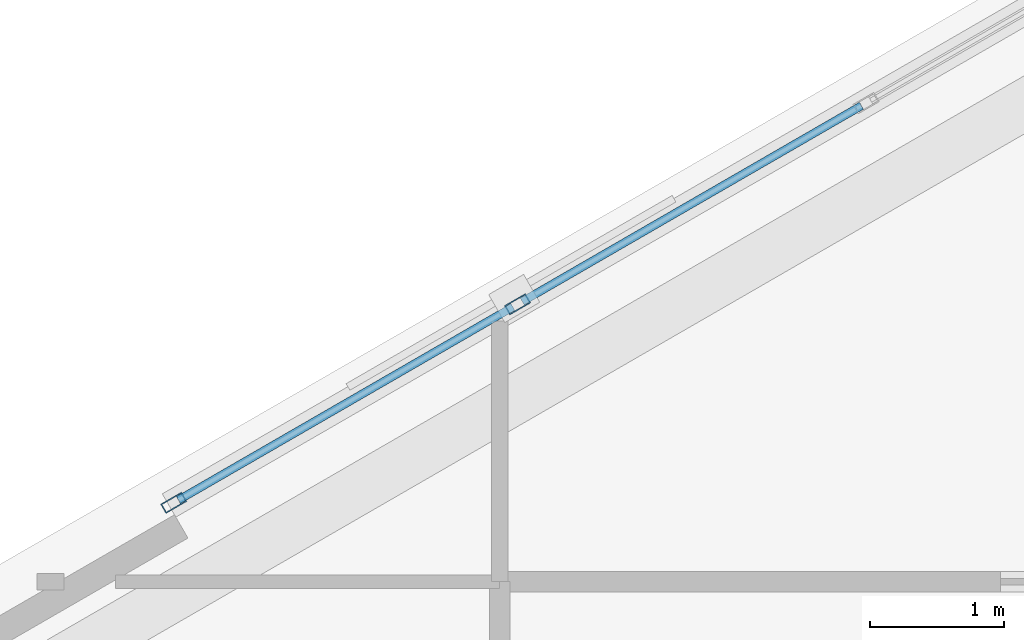
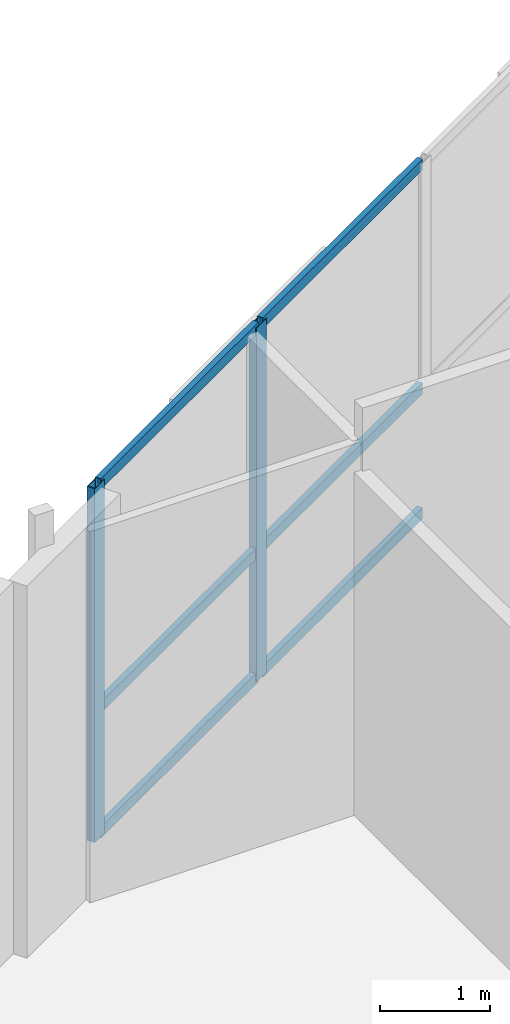
# One storey, part 11 of 27: 8 members, 1 element without a shape of its own.
"""IFC4 building model written with IfcOpenShell, lengths in metres."""

from ifc_helpers import new_model, si_unit, direction, frame, origin, origin_2d, place, context, subcontext, project, spatial, hollow_rectangle, extrude, material, layer, layer_set, material_profile, profile_set, type_object, element, aggregate, save


model = new_model("IFC4")

# Units and contexts
model_context = context("Model", 3, precision=1e-05, world=origin(), true_north=direction((0.0, 1.0)))
body_context = subcontext(model_context, "Body", "Model", "MODEL_VIEW")
ifc_project = project(units=[si_unit("LENGTHUNIT", "METRE"), si_unit("AREAUNIT", "SQUARE_METRE"), si_unit("VOLUMEUNIT", "CUBIC_METRE"), si_unit("PLANEANGLEUNIT", "RADIAN"), si_unit("MASSUNIT", "GRAM", prefix="KILO")], contexts=[model_context])

# Site, building, storey
site_placement = place(None, origin())
site = spatial("IfcSite", under=ifc_project, at=site_placement, CompositionType="ELEMENT")
building_placement = place(site_placement, origin())
building = spatial("IfcBuilding", under=site, at=building_placement, Name="Mersakhor Tower and Convention Hall", CompositionType="ELEMENT")
storey_placement = place(building_placement, frame((0.0, 0.0, 14.39990234375)))
storey = spatial("IfcBuildingStorey", under=building, at=storey_placement, Name="L03", CompositionType="ELEMENT", Elevation=14.39990234375)

# Curtain wall, members
ifc_material_1 = material(Name="Dark solar low-E aluminium curtain wall", Category="aluminium")
ifc_layer = layer(ifc_material_1, 0.18994140625)
ifc_layer_set = layer_set([ifc_layer], Name="Dark solar low-E aluminium curtain wall")
curtain_wall_type = type_object("IfcCurtainWallType", Name="CW-SYS-04", PredefinedType="USERDEFINED", material=ifc_layer_set)
curtain_wall_placement = place(storey_placement, origin())
curtain_wall = element("IfcCurtainWall", 1, at=curtain_wall_placement, inside=storey, type_object=curtain_wall_type, Name="L03 Dark-Glass Curtain Wall F1-B2", ObjectType="CURTAIN WALL", PredefinedType="USERDEFINED")
ifc_material_2 = material(Name="Anodised aluminium EN AW-6063 T6", Category="aluminium")
ifc_material_profile_1 = material_profile(ifc_material_2, hollow_rectangle(XDim=0.080078125, YDim=0.179931640625, WallThickness=0.008056640625, at=origin_2d()), Name="RHS 180x80x8")
ifc_profile_set_1 = profile_set([ifc_material_profile_1], Name="Anodised aluminium EN AW-6063 T6")
member_type_1 = type_object("IfcMemberType", Name="CWM-180x80", PredefinedType="MULLION", material=ifc_profile_set_1)
member_1_placement = place(storey_placement, frame((16.425048828125, 36.63720703125, 0.2001953125), z_axis=(0.0, 0.0, 1.0), x_axis=(-0.50000344889, 0.866023412558, 0.0)))
member_1 = element("IfcMember", 2, at=member_1_placement, type_object=member_type_1, Name="CW-04 mullion 1", PredefinedType="MULLION", context=body_context, shape_type="SweptSolid", body=[
    extrude(hollow_rectangle(XDim=0.080078125, YDim=0.179931640625, WallThickness=0.008056640625, at=origin_2d()), origin(), (0.0, 0.0, 1.0), 3.93994140625),
])
member_2_placement = place(storey_placement, frame((18.982666015625, 38.11376953125, 0.2001953125), z_axis=(0.0, 0.0, 1.0), x_axis=(-0.50000344889, 0.866023412558, 0.0)))
member_2 = element("IfcMember", 3, at=member_2_placement, type_object=member_type_1, Name="CW-04 mullion 2", PredefinedType="MULLION", context=body_context, shape_type="SweptSolid", body=[
    extrude(hollow_rectangle(XDim=0.080078125, YDim=0.179931640625, WallThickness=0.008056640625, at=origin_2d()), origin(), (0.0, 0.0, 1.0), 3.93994140625),
])
ifc_material_3 = material(Name="Anodised aluminium EN AW-6063 T6", Category="aluminium")
ifc_material_profile_2 = material_profile(ifc_material_3, hollow_rectangle(XDim=0.06005859375, YDim=0.1201171875, WallThickness=0.0048828125, at=origin_2d()), Name="RHS 120x60x5")
ifc_profile_set_2 = profile_set([ifc_material_profile_2], Name="Anodised aluminium EN AW-6063 T6")
member_type_2 = type_object("IfcMemberType", Name="CWT-120x60", PredefinedType="USERDEFINED", material=ifc_profile_set_2)
member_3_placement = place(storey_placement, frame((16.459716796875, 36.6572265625, 0.22998046875), z_axis=(0.866038426532, 0.499977443261, 0.0), x_axis=(-0.499977443261, 0.866038426532, 0.0)))
member_3 = element("IfcMember", 4, at=member_3_placement, type_object=member_type_2, Name="CW-04 transom 1.1", ObjectType="TRANSOM", PredefinedType="USERDEFINED", context=body_context, shape_type="SweptSolid", body=[
    extrude(hollow_rectangle(XDim=0.06005859375, YDim=0.1201171875, WallThickness=0.0048828125, at=origin_2d()), origin(), (0.0, 0.0, 1.0), 2.873291015625),
])
member_4_placement = place(storey_placement, frame((16.459716796875, 36.6572265625, 1.6201171875), z_axis=(0.866038426532, 0.499977443261, 0.0), x_axis=(-0.499977443261, 0.866038426532, 0.0)))
member_4 = element("IfcMember", 5, at=member_4_placement, type_object=member_type_2, Name="CW-04 transom 1.2", ObjectType="TRANSOM", PredefinedType="USERDEFINED", context=body_context, shape_type="SweptSolid", body=[
    extrude(hollow_rectangle(XDim=0.06005859375, YDim=0.1201171875, WallThickness=0.0048828125, at=origin_2d()), origin(), (0.0, 0.0, 1.0), 2.873291015625),
])
member_5_placement = place(storey_placement, frame((16.459716796875, 36.6572265625, 4.110107421875), z_axis=(0.866038426532, 0.499977443261, 0.0), x_axis=(-0.499977443261, 0.866038426532, 0.0)))
member_5 = element("IfcMember", 6, at=member_5_placement, type_object=member_type_2, Name="CW-04 transom 1.3", ObjectType="TRANSOM", PredefinedType="USERDEFINED", context=body_context, shape_type="SweptSolid", body=[
    extrude(hollow_rectangle(XDim=0.06005859375, YDim=0.1201171875, WallThickness=0.0048828125, at=origin_2d()), origin(), (0.0, 0.0, 1.0), 2.873291015625),
])
member_6_placement = place(storey_placement, frame((19.017333984375, 38.1337890625, 0.22998046875), z_axis=(0.866001369261, 0.500041626706, 0.0), x_axis=(-0.500041626706, 0.866001369261, 0.0)))
member_6 = element("IfcMember", 7, at=member_6_placement, type_object=member_type_2, Name="CW-04 transom 2.1", ObjectType="TRANSOM", PredefinedType="USERDEFINED", context=body_context, shape_type="SweptSolid", body=[
    extrude(hollow_rectangle(XDim=0.06005859375, YDim=0.1201171875, WallThickness=0.0048828125, at=origin_2d()), origin(), (0.0, 0.0, 1.0), 2.913330078125),
])
member_7_placement = place(storey_placement, frame((19.017333984375, 38.1337890625, 1.6201171875), z_axis=(0.866001369261, 0.500041626706, 0.0), x_axis=(-0.500041626706, 0.866001369261, 0.0)))
member_7 = element("IfcMember", 8, at=member_7_placement, type_object=member_type_2, Name="CW-04 transom 2.2", ObjectType="TRANSOM", PredefinedType="USERDEFINED", context=body_context, shape_type="SweptSolid", body=[
    extrude(hollow_rectangle(XDim=0.06005859375, YDim=0.1201171875, WallThickness=0.0048828125, at=origin_2d()), origin(), (0.0, 0.0, 1.0), 2.913330078125),
])
member_8_placement = place(storey_placement, frame((19.017333984375, 38.1337890625, 4.110107421875), z_axis=(0.866001369261, 0.500041626706, 0.0), x_axis=(-0.500041626706, 0.866001369261, 0.0)))
member_8 = element("IfcMember", 9, at=member_8_placement, type_object=member_type_2, Name="CW-04 transom 2.3", ObjectType="TRANSOM", PredefinedType="USERDEFINED", context=body_context, shape_type="SweptSolid", body=[
    extrude(hollow_rectangle(XDim=0.06005859375, YDim=0.1201171875, WallThickness=0.0048828125, at=origin_2d()), origin(), (0.0, 0.0, 1.0), 2.913330078125),
])
aggregate(curtain_wall, [member_1, member_2, member_3, member_4, member_5, member_6, member_7, member_8])

save(model, "model.ifc")
